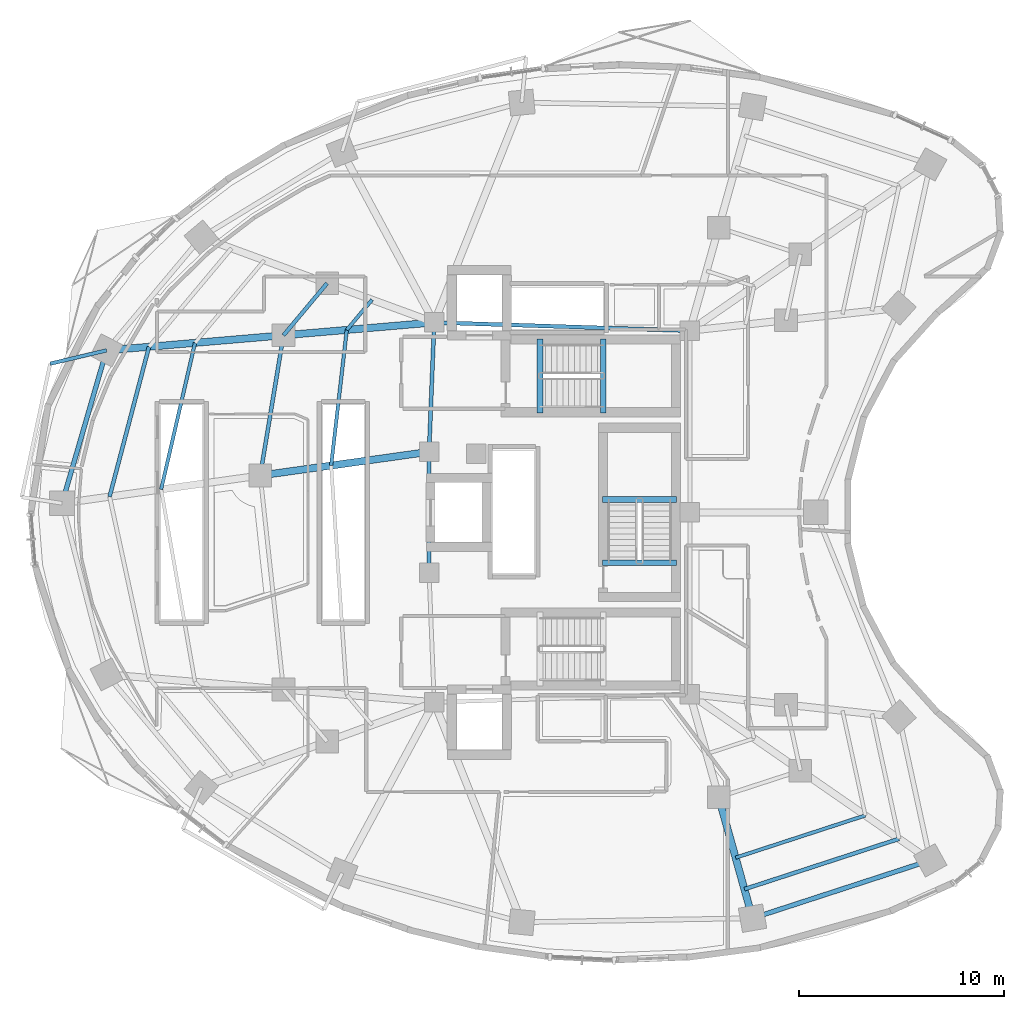
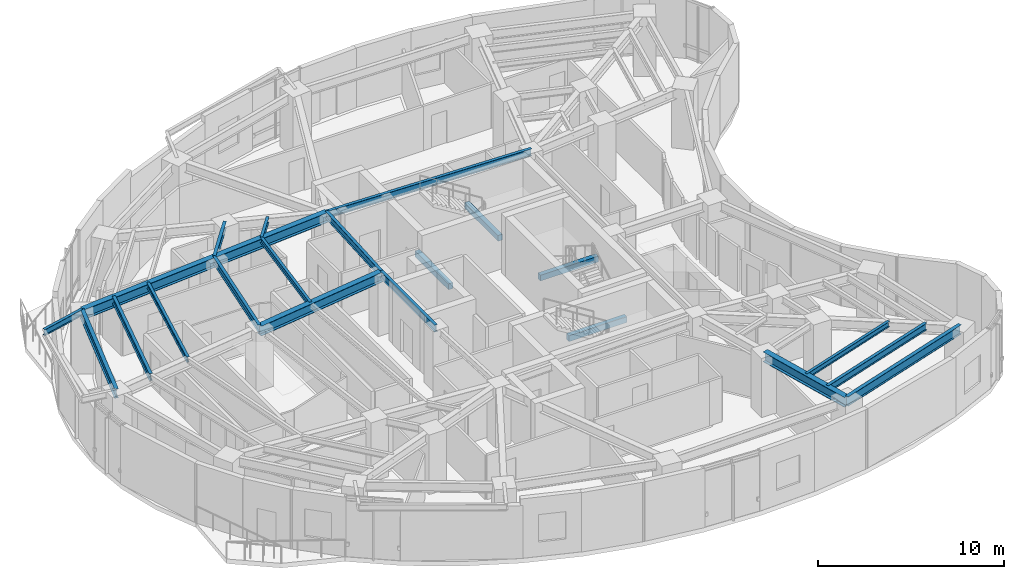
# One storey, part 3 of 15: 22 beams.
"""IFC4 building model written with IfcOpenShell, lengths in metres."""

from ifc_helpers import new_model, si_unit, direction, frame, origin, origin_2d, place, context, subcontext, project, spatial, rectangle, i_section, extrude, material, material_profile, profile_set, type_object, element, save


model = new_model("IFC4")

# Units and contexts
model_context = context("Model", 3, precision=1e-05, world=origin(), true_north=direction((0.0, 1.0)))
body_context = subcontext(model_context, "Body", "Model", "MODEL_VIEW")
ifc_project = project(units=[si_unit("LENGTHUNIT", "METRE"), si_unit("AREAUNIT", "SQUARE_METRE"), si_unit("VOLUMEUNIT", "CUBIC_METRE"), si_unit("PLANEANGLEUNIT", "RADIAN"), si_unit("MASSUNIT", "GRAM", prefix="KILO")], contexts=[model_context])

# Site, building, storey
site_placement = place(None, origin())
site = spatial("IfcSite", under=ifc_project, at=site_placement, CompositionType="ELEMENT")
building_placement = place(site_placement, origin())
building = spatial("IfcBuilding", under=site, at=building_placement, Name="Korentha Bioscience Tower", CompositionType="ELEMENT")
storey_placement = place(building_placement, frame((0.0, 0.0, 98.39990234375)))
storey = spatial("IfcBuildingStorey", under=building, at=storey_placement, Name="L22", CompositionType="ELEMENT", Elevation=98.39990234375)

# Beams
ifc_material_1 = material(Name="Concrete C50", Category="concrete")
ifc_material_profile_1 = material_profile(ifc_material_1, rectangle(XDim=0.280029296875, YDim=0.3798828125, at=origin_2d()), Name="Concrete C50")
ifc_profile_set_1 = profile_set([ifc_material_profile_1], Name="Concrete C50 (ST-HB380)")
beam_type_1 = type_object("IfcBeamType", Name="Concrete Stair Header Beam RC 280x380", PredefinedType="BEAM", material=ifc_profile_set_1)
for number, where, z_axis, x_axis, name in (
    (1, (30.25, 31.85009765625, -0.18994140625), (0.0, 1.0, 0.0), (-1.0, 0.0, 0.0), "L22 ST-1 Concrete Stair Header Beam"),
    (2, (33.330078125, 31.85009765625, 1.91015625), (0.0, 1.0, 0.0), (-1.0, 0.0, 0.0), "L22 ST-1 Half-Landing Header Beam 1"),
    (3, (36.89990234375, 24.550048828125, -0.18994140625), (-1.0, 0.0, 0.0), (0.0, -1.0, 0.0), "L22 ST-3 Concrete Stair Header Beam"),
    (4, (36.89990234375, 27.6298828125, 1.91015625), (-1.0, 0.0, 0.0), (0.0, -1.0, 0.0), "L22 ST-3 Half-Landing Header Beam 1"),
):
    element("IfcBeam", number, at=place(storey_placement, frame(where, z_axis=z_axis, x_axis=x_axis)), inside=storey, type_object=beam_type_1, Name=name, PredefinedType="BEAM", context=body_context, shape_type="SweptSolid", body=[
        extrude(rectangle(XDim=0.280029296875, YDim=0.3798828125, at=origin_2d()), origin(), (0.0, 0.0, 1.0), 3.599853515625),
    ])
ifc_material_2 = material(Name="Steel S355", Category="steel")
ifc_material_profile_2 = material_profile(ifc_material_2, i_section(OverallWidth=0.18994140625, OverallDepth=0.45703125, WebThickness=0.009033203125, FlangeThickness=0.014404296875, at=origin_2d()), Name="Steel S355")
ifc_profile_set_2 = profile_set([ifc_material_profile_2], Name="Steel S355 (MB-460)")
beam_type_2 = type_object("IfcBeamType", Name="Mid-Ring Tie Girder W460x74", PredefinedType="BEAM", material=ifc_profile_set_2)
beam_1_placement = place(storey_placement, frame((19.882568359375, 38.158935546875, 3.671630859375), z_axis=(-0.642121371708, -0.766602989817, 0.0), x_axis=(0.766602989817, -0.642121371708, 0.0)))
element("IfcBeam", 5, at=beam_1_placement, inside=storey, type_object=beam_type_2, Name="L22 Mid-Ring Tie Girder 05", PredefinedType="BEAM", context=body_context, shape_type="SweptSolid", body=[
    extrude(i_section(OverallWidth=0.18994140625, OverallDepth=0.45703125, WebThickness=0.009033203125, FlangeThickness=0.014404296875, at=origin_2d()), origin(), (0.0, 0.0, 1.0), 3.306640625),
])
beam_2_placement = place(storey_placement, frame((17.75927734375, 35.6240234375, 3.671630859375), z_axis=(-0.163580878592, -0.986529926641, 0.0), x_axis=(0.986529926641, -0.163580878592, 0.0)))
element("IfcBeam", 6, at=beam_2_placement, inside=storey, type_object=beam_type_2, Name="L22 Mid-Ring Tie Girder 06", PredefinedType="BEAM", context=body_context, shape_type="SweptSolid", body=[
    extrude(i_section(OverallWidth=0.18994140625, OverallDepth=0.45703125, WebThickness=0.009033203125, FlangeThickness=0.014404296875, at=origin_2d()), origin(), (0.0, 0.0, 1.0), 6.920654296875),
])
beam_3_placement = place(storey_placement, frame((37.550048828125, 35.85009765625, 3.671630859375), z_axis=(-0.999484526071, 0.032104238723, 0.0), x_axis=(-0.032104238723, -0.999484526071, 0.0)))
element("IfcBeam", 7, at=beam_3_placement, inside=storey, type_object=beam_type_2, Name="L22 Core Ring Tie Girder 01", PredefinedType="BEAM", context=body_context, shape_type="SweptSolid", body=[
    extrude(i_section(OverallWidth=0.18994140625, OverallDepth=0.45703125, WebThickness=0.009033203125, FlangeThickness=0.014404296875, at=origin_2d()), origin(), (0.0, 0.0, 1.0), 12.456298828125),
])
beam_4_placement = place(storey_placement, frame((25.10009765625, 36.25, 3.671630859375), z_axis=(-0.039651025576, -0.999213588864, 0.0), x_axis=(0.999213588864, -0.039651025576, 0.0)))
element("IfcBeam", 8, at=beam_4_placement, inside=storey, type_object=beam_type_2, Name="L22 Core Ring Tie Girder 02", PredefinedType="BEAM", context=body_context, shape_type="SweptSolid", body=[
    extrude(i_section(OverallWidth=0.18994140625, OverallDepth=0.45703125, WebThickness=0.009033203125, FlangeThickness=0.014404296875, at=origin_2d()), origin(), (0.0, 0.0, 1.0), 6.304931640625),
])
beam_5_placement = place(storey_placement, frame((24.85009765625, 29.949951171875, 3.671630859375), z_axis=(0.0, -1.0, 0.0), x_axis=(1.0, 0.0, 0.0)))
element("IfcBeam", 9, at=beam_5_placement, inside=storey, type_object=beam_type_2, Name="L22 Core Ring Tie Girder 03", PredefinedType="BEAM", context=body_context, shape_type="SweptSolid", body=[
    extrude(i_section(OverallWidth=0.18994140625, OverallDepth=0.45703125, WebThickness=0.009033203125, FlangeThickness=0.014404296875, at=origin_2d()), origin(), (0.0, 0.0, 1.0), 5.89990234375),
])
ifc_material_profile_3 = material_profile(ifc_material_2, i_section(OverallWidth=0.22802734375, OverallDepth=0.60791015625, WebThickness=0.01123046875, FlangeThickness=0.017333984375, at=origin_2d()), Name="Steel S355")
ifc_profile_set_3 = profile_set([ifc_material_profile_3], Name="Steel S355 (SB-610)")
beam_type_3 = type_object("IfcBeamType", Name="Perimeter Ring Spandrel Girder W610x113", PredefinedType="SPANDREL", material=ifc_profile_set_3)
beam_6_placement = place(storey_placement, frame((9.141845703125, 34.889404296875, 3.59619140625), z_axis=(-0.279486251653, -0.960149694129, 0.0), x_axis=(0.960149694129, -0.279486251653, 0.0)))
element("IfcBeam", 10, at=beam_6_placement, inside=storey, type_object=beam_type_3, Name="L22 Perimeter Spandrel Girder 06", PredefinedType="SPANDREL", context=body_context, shape_type="SweptSolid", body=[
    extrude(i_section(OverallWidth=0.22802734375, OverallDepth=0.60791015625, WebThickness=0.01123046875, FlangeThickness=0.017333984375, at=origin_2d()), origin(), (0.0, 0.0, 1.0), 7.756103515625),
])
beam_7_placement = place(storey_placement, frame((40.604248046875, 7.235107421875, 3.59619140625), z_axis=(0.950867758759, 0.309597327755, 0.0), x_axis=(-0.309597327755, 0.950867758759, 0.0)))
element("IfcBeam", 11, at=beam_7_placement, inside=storey, type_object=beam_type_3, Name="L22 Perimeter Spandrel Girder 12", PredefinedType="SPANDREL", context=body_context, shape_type="SweptSolid", body=[
    extrude(i_section(OverallWidth=0.22802734375, OverallDepth=0.60791015625, WebThickness=0.01123046875, FlangeThickness=0.017333984375, at=origin_2d()), origin(), (0.0, 0.0, 1.0), 9.101806640625),
])
ifc_material_profile_4 = material_profile(ifc_material_2, i_section(OverallWidth=0.18994140625, OverallDepth=0.45703125, WebThickness=0.009033203125, FlangeThickness=0.014404296875, at=origin_2d()), Name="Steel S355")
ifc_profile_set_4 = profile_set([ifc_material_profile_4], Name="Steel S355 (RB-460)")
beam_type_4 = type_object("IfcBeamType", Name="Radial Laboratory Beam W460x74", PredefinedType="BEAM", material=ifc_profile_set_4)
beam_8_placement = place(storey_placement, frame((11.2099609375, 35.065673828125, 3.671630859375), z_axis=(-0.254294231014, -0.967126901742, 0.0), x_axis=(0.967126901742, -0.254294231014, 0.0)))
element("IfcBeam", 12, at=beam_8_placement, inside=storey, type_object=beam_type_4, Name="L22 Secondary Floor Beam JSTO-06", PredefinedType="BEAM", context=body_context, shape_type="SweptSolid", body=[
    extrude(i_section(OverallWidth=0.18994140625, OverallDepth=0.45703125, WebThickness=0.009033203125, FlangeThickness=0.014404296875, at=origin_2d()), origin(), (0.0, 0.0, 1.0), 7.546142578125),
])
beam_9_placement = place(storey_placement, frame((40.20849609375, 8.64990234375, 3.671630859375), z_axis=(0.950866789802, 0.3096003037, 0.0), x_axis=(-0.3096003037, 0.950866789802, 0.0)))
element("IfcBeam", 13, at=beam_9_placement, inside=storey, type_object=beam_type_4, Name="L22 Secondary Floor Beam JSTO-12", PredefinedType="BEAM", context=body_context, shape_type="SweptSolid", body=[
    extrude(i_section(OverallWidth=0.18994140625, OverallDepth=0.45703125, WebThickness=0.009033203125, FlangeThickness=0.014404296875, at=origin_2d()), origin(), (0.0, 0.0, 1.0), 7.921875),
])
ifc_material_profile_5 = material_profile(ifc_material_2, i_section(OverallWidth=0.35009765625, OverallDepth=0.64990234375, WebThickness=0.01611328125, FlangeThickness=0.02490234375, at=origin_2d()), Name="Steel S355")
ifc_profile_set_5 = profile_set([ifc_material_profile_5], Name="Steel S355 (RB-650)")
beam_type_5 = type_object("IfcBeamType", Name="Radial Laboratory Girder CVS 650x208", PredefinedType="BEAM", material=ifc_profile_set_5)
beam_10_placement = place(storey_placement, frame((25.10009765625, 36.25, 3.5751953125), z_axis=(-0.996383934197, -0.084965026183, 0.0), x_axis=(0.084965026183, -0.996383934197, 0.0)))
element("IfcBeam", 14, at=beam_10_placement, inside=storey, type_object=beam_type_5, Name="L22 Inner Radial Girder 06", PredefinedType="BEAM", context=body_context, shape_type="SweptSolid", body=[
    extrude(i_section(OverallWidth=0.35009765625, OverallDepth=0.64990234375, WebThickness=0.01611328125, FlangeThickness=0.02490234375, at=origin_2d()), origin(), (0.0, 0.0, 1.0), 7.367431640625),
])
beam_11_placement = place(storey_placement, frame((17.75927734375, 35.6240234375, 3.5751953125), z_axis=(-0.996386071548, -0.084939957767, 0.0), x_axis=(0.084939957767, -0.996386071548, 0.0)))
element("IfcBeam", 15, at=beam_11_placement, inside=storey, type_object=beam_type_5, Name="L22 Outer Radial Girder 06", PredefinedType="BEAM", context=body_context, shape_type="SweptSolid", body=[
    extrude(i_section(OverallWidth=0.35009765625, OverallDepth=0.64990234375, WebThickness=0.01611328125, FlangeThickness=0.02490234375, at=origin_2d()), origin(), (0.0, 0.0, 1.0), 8.648681640625),
])
beam_12_placement = place(storey_placement, frame((24.85009765625, 29.949951171875, 3.5751953125), z_axis=(-0.990306752817, -0.13889757134, 0.0), x_axis=(0.13889757134, -0.990306752817, 0.0)))
element("IfcBeam", 16, at=beam_12_placement, inside=storey, type_object=beam_type_5, Name="L22 Inner Radial Girder 07", PredefinedType="BEAM", context=body_context, shape_type="SweptSolid", body=[
    extrude(i_section(OverallWidth=0.35009765625, OverallDepth=0.64990234375, WebThickness=0.01611328125, FlangeThickness=0.02490234375, at=origin_2d()), origin(), (0.0, 0.0, 1.0), 8.303466796875),
])
beam_13_placement = place(storey_placement, frame((38.954833984375, 13.129150390625, 3.5751953125), z_axis=(0.269490843458, -0.963002951861, 0.0), x_axis=(0.963002951861, 0.269490843458, 0.0)))
element("IfcBeam", 17, at=beam_13_placement, inside=storey, type_object=beam_type_5, Name="L22 Outer Radial Girder 12", PredefinedType="BEAM", context=body_context, shape_type="SweptSolid", body=[
    extrude(i_section(OverallWidth=0.35009765625, OverallDepth=0.64990234375, WebThickness=0.01611328125, FlangeThickness=0.02490234375, at=origin_2d()), origin(), (0.0, 0.0, 1.0), 6.120361328125),
])
ifc_material_profile_6 = material_profile(ifc_material_2, i_section(OverallWidth=0.1708984375, OverallDepth=0.35498046875, WebThickness=0.007080078125, FlangeThickness=0.01171875, at=origin_2d()), Name="Steel S355")
ifc_profile_set_6 = profile_set([ifc_material_profile_6], Name="Steel S355 (JB-360)")
beam_type_6 = type_object("IfcBeamType", Name="Secondary Laboratory Joist W360x51", PredefinedType="JOIST", material=ifc_profile_set_6)
beam_14_placement = place(storey_placement, frame((22.073974609375, 37.357177734375, 3.72265625), z_axis=(-0.64218549873, -0.766549271229, 0.0), x_axis=(0.766549271229, -0.64218549873, 0.0)))
element("IfcBeam", 18, at=beam_14_placement, inside=storey, type_object=beam_type_6, Name="L22 Inner Bay Joist 05", PredefinedType="JOIST", context=body_context, shape_type="SweptSolid", body=[
    extrude(i_section(OverallWidth=0.1708984375, OverallDepth=0.35498046875, WebThickness=0.007080078125, FlangeThickness=0.01171875, at=origin_2d()), origin(), (0.0, 0.0, 1.0), 1.91796875),
])
beam_15_placement = place(storey_placement, frame((13.450439453125, 35.256591796875, 3.72265625), z_axis=(-0.225236780605, -0.974304055551, 0.0), x_axis=(0.974304055551, -0.225236780605, 0.0)))
element("IfcBeam", 19, at=beam_15_placement, inside=storey, type_object=beam_type_6, Name="L22 Secondary Floor Beam JST-06", PredefinedType="JOIST", context=body_context, shape_type="SweptSolid", body=[
    extrude(i_section(OverallWidth=0.1708984375, OverallDepth=0.35498046875, WebThickness=0.007080078125, FlangeThickness=0.01171875, at=origin_2d()), origin(), (0.0, 0.0, 1.0), 7.3251953125),
])
beam_16_placement = place(storey_placement, frame((20.84228515625, 35.886962890625, 3.72265625), z_axis=(-0.114512623722, -0.993421793101, 0.0), x_axis=(0.993421793101, -0.114512623722, 0.0)))
element("IfcBeam", 20, at=beam_16_placement, inside=storey, type_object=beam_type_6, Name="L22 Inner Bay Joist 06", PredefinedType="JOIST", context=body_context, shape_type="SweptSolid", body=[
    extrude(i_section(OverallWidth=0.1708984375, OverallDepth=0.35498046875, WebThickness=0.007080078125, FlangeThickness=0.01171875, at=origin_2d()), origin(), (0.0, 0.0, 1.0), 6.649658203125),
])
beam_17_placement = place(storey_placement, frame((39.779541015625, 10.18212890625, 3.72265625), z_axis=(0.950864890997, 0.309606135387, 0.0), x_axis=(-0.309606135387, 0.950864890997, 0.0)))
element("IfcBeam", 21, at=beam_17_placement, inside=storey, type_object=beam_type_6, Name="L22 Secondary Floor Beam JST-12", PredefinedType="JOIST", context=body_context, shape_type="SweptSolid", body=[
    extrude(i_section(OverallWidth=0.1708984375, OverallDepth=0.35498046875, WebThickness=0.007080078125, FlangeThickness=0.01171875, at=origin_2d()), origin(), (0.0, 0.0, 1.0), 6.644287109375),
])
ifc_material_profile_7 = material_profile(ifc_material_2, i_section(OverallWidth=0.177978515625, OverallDepth=0.406982421875, WebThickness=0.0078125, FlangeThickness=0.0126953125, at=origin_2d()), Name="Steel S355")
ifc_profile_set_7 = profile_set([ifc_material_profile_7], Name="Steel S355 (CB-410)")
beam_type_7 = type_object("IfcBeamType", Name="Sun-Ledge Cantilever Beam W410x60", PredefinedType="BEAM", material=ifc_profile_set_7)
beam_18_placement = place(storey_placement, frame((9.141845703125, 34.889404296875, 3.698486328125), z_axis=(-0.973303545012, -0.229521696725, 0.0), x_axis=(0.229521696725, -0.973303545012, 0.0)))
element("IfcBeam", 22, at=beam_18_placement, inside=storey, type_object=beam_type_7, Name="L22 Balcony Cantilever Bracket A-L23-02", PredefinedType="BEAM", context=body_context, shape_type="SweptSolid", body=[
    extrude(i_section(OverallWidth=0.177978515625, OverallDepth=0.406982421875, WebThickness=0.0078125, FlangeThickness=0.0126953125, at=origin_2d()), origin(), (0.0, 0.0, 1.0), 2.82080078125),
])

save(model, "model.ifc")
